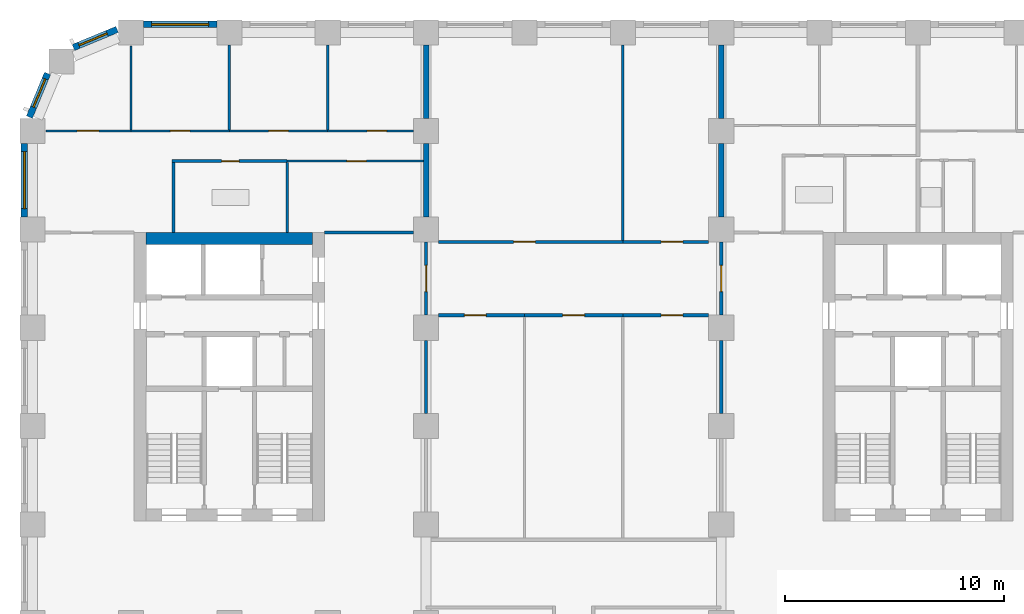
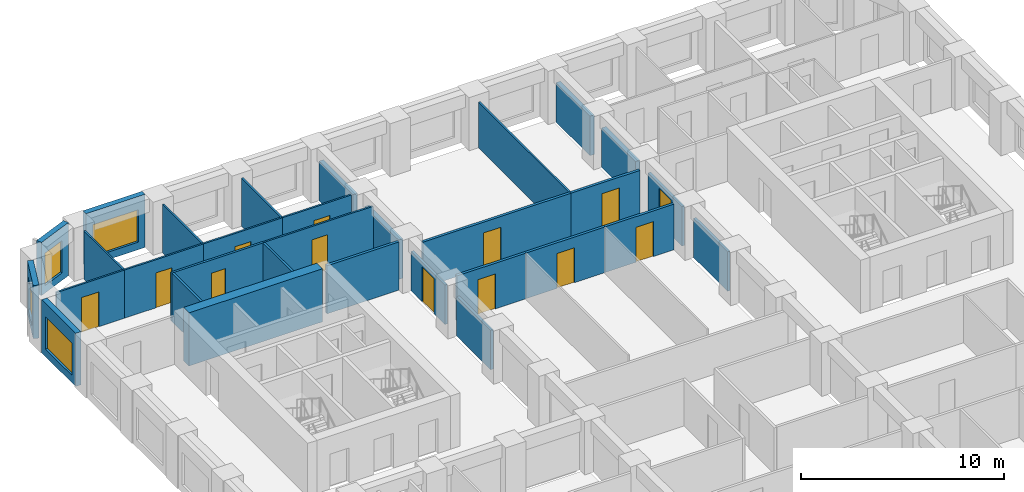
# One storey, part 7 of 13: 31 walls, 13 doors, 4 windows, 17 openings.
"""IFC4 building model written with IfcOpenShell, lengths in metres."""

from ifc_helpers import new_model, si_unit, direction, frame, frame_2d, origin, place, context, subcontext, project, spatial, rectangle, extrude, material, layer, layer_set, type_object, element, fill, save


model = new_model("IFC4")

# Units and contexts
model_context = context("Model", 3, precision=1e-05, world=origin(), true_north=direction((0.0, 1.0)))
body_context = subcontext(model_context, "Body", "Model", "MODEL_VIEW")
ifc_project = project(units=[si_unit("LENGTHUNIT", "METRE"), si_unit("AREAUNIT", "SQUARE_METRE"), si_unit("VOLUMEUNIT", "CUBIC_METRE"), si_unit("PLANEANGLEUNIT", "RADIAN"), si_unit("MASSUNIT", "GRAM", prefix="KILO")], contexts=[model_context])

# Site, building, storey
site_placement = place(None, origin())
site = spatial("IfcSite", under=ifc_project, at=site_placement, CompositionType="ELEMENT")
building_placement = place(site_placement, origin())
building = spatial("IfcBuilding", under=site, at=building_placement, Name="Girih Gate Residences", CompositionType="ELEMENT")
storey_placement = place(building_placement, frame((0.0, 0.0, 105.60009765625)))
storey = spatial("IfcBuildingStorey", under=building, at=storey_placement, Name="L29", CompositionType="ELEMENT", Elevation=105.60009765625)

# Walls
ifc_material_1 = material(Name="Gypsum board on steel studs", Category="steel")
ifc_layer_1 = layer(ifc_material_1, 0.25)
ifc_layer_set_1 = layer_set([ifc_layer_1], Name="Acoustic separating wall 250 mm")
wall_type_1 = type_object("IfcWallType", Name="Acoustic separating wall 250 mm", PredefinedType="PARTITIONING", material=ifc_layer_set_1)
for number, where, z_axis, x_axis, name in (
    (1, (18.0, 45.574951171875, 0.0), (0.0, 0.0, 1.0), (0.0, 1.0, 0.0), "L29 partition"),
    (2, (18.0, 41.074951171875, 0.0), (0.0, 0.0, 1.0), (0.0, 1.0, 0.0), "L29 partition"),
    (3, (31.5, 41.074951171875, 0.0), (0.0, 0.0, 1.0), (0.0, 1.0, 0.0), "L29 partition"),
    (4, (31.5, 45.574951171875, 0.0), (0.0, 0.0, 1.0), (0.0, 1.0, 0.0), "L29 partition"),
):
    element("IfcWall", number, at=place(storey_placement, frame(where, z_axis=z_axis, x_axis=x_axis)), inside=storey, type_object=wall_type_1, Name=name, PredefinedType="PARTITIONING", context=body_context, shape_type="SweptSolid", body=[
        extrude(rectangle(XDim=3.35009765625, YDim=0.25, at=frame_2d((1.675048828125, 0.0))), origin(), (0.0, 0.0, 1.0), 2.3798828125),
    ])
ifc_layer_2 = layer(ifc_material_1, 0.14990234375)
ifc_layer_set_2 = layer_set([ifc_layer_2], Name="Compartment wall 150 mm")
wall_type_2 = type_object("IfcWallType", Name="Compartment wall 150 mm", PredefinedType="PARTITIONING", material=ifc_layer_set_2)
wall_1_placement = place(storey_placement, frame((13.35009765625, 40.35009765625, 0.0), z_axis=(0.0, 0.0, 1.0), x_axis=(1.0, 0.0, 0.0)))
element("IfcWall", 5, at=wall_1_placement, inside=storey, type_object=wall_type_2, Name="L29 partition", PredefinedType="PARTITIONING", context=body_context, shape_type="SweptSolid", body=[
    extrude(rectangle(XDim=4.074951171875, YDim=0.14990234375, at=frame_2d((2.03759765625, 0.0))), origin(), (0.0, 0.0, 1.0), 2.89990234375),
])

# Wall, opening, door
wall_2_placement = place(storey_placement, frame((18.574951171875, 39.925048828125, 0.0), z_axis=(0.0, 0.0, 1.0), x_axis=(1.0, 0.0, 0.0)))
wall_2 = element("IfcWall", 6, at=wall_2_placement, inside=storey, type_object=wall_type_2, Name="L29 partition", PredefinedType="PARTITIONING", context=body_context, shape_type="SweptSolid", body=[
    extrude(rectangle(XDim=8.425048828125, YDim=0.14990234375, at=frame_2d((4.21240234375, 0.0))), origin(), (0.0, 0.0, 1.0), 2.75),
])
opening_1_placement = place(wall_2_placement, frame((3.425048828125, 0.0, 0.0)))
opening_1 = element("IfcOpeningElement", 7, at=opening_1_placement, cuts=wall_2, Name="Opening A29-039", PredefinedType="OPENING", context=body_context, shape_type="SweptSolid", body=[
    extrude(rectangle(XDim=1.0, YDim=2.10009765625, at=frame_2d((0.5, 1.050048828125))), frame((0.0, 0.0849609375, 0.0), z_axis=(0.0, -1.0, 0.0), x_axis=(1.0, 0.0, 0.0)), (0.0, 0.0, 1.0), 0.169921875),
])
ifc_material_2 = material(Name="Timber, fire-rated core", Category="wood")
door_type_1 = type_object("IfcDoorType", Name="Amenity room door 1000x2100 FD30S", OperationType="NOTDEFINED", PredefinedType="DOOR", material=ifc_material_2)
door_1_placement = place(opening_1_placement, origin())
door_1 = element("IfcDoor", 8, at=door_1_placement, inside=storey, type_object=door_type_1, Name="Door A29-039", OperationType="SINGLE_SWING_LEFT", OverallHeight=2.10009765625, OverallWidth=1.0, PredefinedType="DOOR", context=body_context, shape_type="SweptSolid", body=[
    extrude(rectangle(XDim=1.0, YDim=2.10009765625, at=frame_2d((0.5, 1.050048828125))), frame((0.0, 0.02490234375, 0.0), z_axis=(0.0, -1.0, 0.0), x_axis=(1.0, 0.0, 0.0)), (0.0, 0.0, 1.0), 0.050048828125),
])
fill(opening_1, door_1)

wall_3_placement = place(storey_placement, frame((27.0, 39.925048828125, 0.0), z_axis=(0.0, 0.0, 1.0), x_axis=(1.0, 0.0, 0.0)))
wall_3 = element("IfcWall", 9, at=wall_3_placement, inside=storey, type_object=wall_type_2, Name="L29 partition", PredefinedType="PARTITIONING", context=body_context, shape_type="SweptSolid", body=[
    extrude(rectangle(XDim=3.925048828125, YDim=0.14990234375, at=frame_2d((1.96240234375, 0.0))), origin(), (0.0, 0.0, 1.0), 2.75),
])
opening_2_placement = place(wall_3_placement, frame((1.75, 0.0, 0.0)))
opening_2 = element("IfcOpeningElement", 10, at=opening_2_placement, cuts=wall_3, Name="Opening A29-040", PredefinedType="OPENING", context=body_context, shape_type="SweptSolid", body=[
    extrude(rectangle(XDim=1.0, YDim=2.10009765625, at=frame_2d((0.5, 1.050048828125))), frame((0.0, 0.0849609375, 0.0), z_axis=(0.0, -1.0, 0.0), x_axis=(1.0, 0.0, 0.0)), (0.0, 0.0, 1.0), 0.169921875),
])
door_2_placement = place(opening_2_placement, origin())
door_2 = element("IfcDoor", 11, at=door_2_placement, inside=storey, type_object=door_type_1, Name="Door A29-040", OperationType="SINGLE_SWING_RIGHT", OverallHeight=2.10009765625, OverallWidth=1.0, PredefinedType="DOOR", context=body_context, shape_type="SweptSolid", body=[
    extrude(rectangle(XDim=1.0, YDim=2.10009765625, at=frame_2d((0.5, 1.050048828125))), frame((0.0, 0.02490234375, 0.0), z_axis=(0.0, -1.0, 0.0), x_axis=(1.0, 0.0, 0.0)), (0.0, 0.0, 1.0), 0.050048828125),
])
fill(opening_2, door_2)

wall_4_placement = place(storey_placement, frame((22.5, 36.574951171875, 0.0), z_axis=(0.0, 0.0, 1.0), x_axis=(-1.0, 0.0, 0.0)))
wall_4 = element("IfcWall", 12, at=wall_4_placement, inside=storey, type_object=wall_type_2, Name="L29 partition", PredefinedType="PARTITIONING", context=body_context, shape_type="SweptSolid", body=[
    extrude(rectangle(XDim=3.925048828125, YDim=0.14990234375, at=frame_2d((1.96240234375, 0.0))), origin(), (0.0, 0.0, 1.0), 2.75),
])
opening_3_placement = place(wall_4_placement, frame((1.75, 0.0, 0.0)))
opening_3 = element("IfcOpeningElement", 13, at=opening_3_placement, cuts=wall_4, Name="Opening A29-041", PredefinedType="OPENING", context=body_context, shape_type="SweptSolid", body=[
    extrude(rectangle(XDim=1.0, YDim=2.10009765625, at=frame_2d((0.5, 1.050048828125))), frame((0.0, 0.0849609375, 0.0), z_axis=(0.0, -1.0, 0.0), x_axis=(1.0, 0.0, 0.0)), (0.0, 0.0, 1.0), 0.169921875),
])
door_3_placement = place(opening_3_placement, origin())
door_3 = element("IfcDoor", 14, at=door_3_placement, inside=storey, type_object=door_type_1, Name="Door A29-041", OperationType="SINGLE_SWING_RIGHT", OverallHeight=2.10009765625, OverallWidth=1.0, PredefinedType="DOOR", context=body_context, shape_type="SweptSolid", body=[
    extrude(rectangle(XDim=1.0, YDim=2.10009765625, at=frame_2d((0.5, 1.050048828125))), frame((0.0, 0.02490234375, 0.0), z_axis=(0.0, -1.0, 0.0), x_axis=(1.0, 0.0, 0.0)), (0.0, 0.0, 1.0), 0.050048828125),
])
fill(opening_3, door_3)

wall_5_placement = place(storey_placement, frame((27.0, 36.574951171875, 0.0), z_axis=(0.0, 0.0, 1.0), x_axis=(-1.0, 0.0, 0.0)))
wall_5 = element("IfcWall", 15, at=wall_5_placement, inside=storey, type_object=wall_type_2, Name="L29 partition", PredefinedType="PARTITIONING", context=body_context, shape_type="SweptSolid", body=[
    extrude(rectangle(XDim=4.5, YDim=0.14990234375, at=frame_2d((2.25, 0.0))), origin(), (0.0, 0.0, 1.0), 2.75),
])
opening_4_placement = place(wall_5_placement, frame((1.75, 0.0, 0.0)))
opening_4 = element("IfcOpeningElement", 16, at=opening_4_placement, cuts=wall_5, Name="Opening A29-042", PredefinedType="OPENING", context=body_context, shape_type="SweptSolid", body=[
    extrude(rectangle(XDim=1.0, YDim=2.10009765625, at=frame_2d((0.5, 1.050048828125))), frame((0.0, 0.0849609375, 0.0), z_axis=(0.0, -1.0, 0.0), x_axis=(1.0, 0.0, 0.0)), (0.0, 0.0, 1.0), 0.169921875),
])
door_4_placement = place(opening_4_placement, origin())
door_4 = element("IfcDoor", 17, at=door_4_placement, inside=storey, type_object=door_type_1, Name="Door A29-042", OperationType="SINGLE_SWING_RIGHT", OverallHeight=2.10009765625, OverallWidth=1.0, PredefinedType="DOOR", context=body_context, shape_type="SweptSolid", body=[
    extrude(rectangle(XDim=1.0, YDim=2.10009765625, at=frame_2d((0.5, 1.050048828125))), frame((0.0, 0.02490234375, 0.0), z_axis=(0.0, -1.0, 0.0), x_axis=(1.0, 0.0, 0.0)), (0.0, 0.0, 1.0), 0.050048828125),
])
fill(opening_4, door_4)

wall_6_placement = place(storey_placement, frame((30.925048828125, 36.574951171875, 0.0), z_axis=(0.0, 0.0, 1.0), x_axis=(-1.0, 0.0, 0.0)))
wall_6 = element("IfcWall", 18, at=wall_6_placement, inside=storey, type_object=wall_type_2, Name="L29 partition", PredefinedType="PARTITIONING", context=body_context, shape_type="SweptSolid", body=[
    extrude(rectangle(XDim=3.925048828125, YDim=0.14990234375, at=frame_2d((1.96240234375, 0.0))), origin(), (0.0, 0.0, 1.0), 2.75),
])
opening_5_placement = place(wall_6_placement, frame((1.175048828125, 0.0, 0.0)))
opening_5 = element("IfcOpeningElement", 19, at=opening_5_placement, cuts=wall_6, Name="Opening A29-043", PredefinedType="OPENING", context=body_context, shape_type="SweptSolid", body=[
    extrude(rectangle(XDim=1.0, YDim=2.10009765625, at=frame_2d((0.5, 1.050048828125))), frame((0.0, 0.0849609375, 0.0), z_axis=(0.0, -1.0, 0.0), x_axis=(1.0, 0.0, 0.0)), (0.0, 0.0, 1.0), 0.169921875),
])
door_5_placement = place(opening_5_placement, origin())
door_5 = element("IfcDoor", 20, at=door_5_placement, inside=storey, type_object=door_type_1, Name="Door A29-043", OperationType="SINGLE_SWING_LEFT", OverallHeight=2.10009765625, OverallWidth=1.0, PredefinedType="DOOR", context=body_context, shape_type="SweptSolid", body=[
    extrude(rectangle(XDim=1.0, YDim=2.10009765625, at=frame_2d((0.5, 1.050048828125))), frame((0.0, 0.02490234375, 0.0), z_axis=(0.0, -1.0, 0.0), x_axis=(1.0, 0.0, 0.0)), (0.0, 0.0, 1.0), 0.050048828125),
])
fill(opening_5, door_5)

wall_7_placement = place(storey_placement, frame((31.5, 36.574951171875, 0.0), z_axis=(0.0, 0.0, 1.0), x_axis=(0.0, 1.0, 0.0)))
wall_7 = element("IfcWall", 21, at=wall_7_placement, inside=storey, type_object=wall_type_2, Name="L29 partition", PredefinedType="PARTITIONING", context=body_context, shape_type="SweptSolid", body=[
    extrude(rectangle(XDim=3.35009765625, YDim=0.14990234375, at=frame_2d((1.675048828125, 0.0))), origin(), (0.0, 0.0, 1.0), 2.3798828125),
])
opening_6_placement = place(wall_7_placement, frame((1.074951171875, 0.0, 0.0)))
opening_6 = element("IfcOpeningElement", 22, at=opening_6_placement, cuts=wall_7, Name="Opening A29-044", PredefinedType="OPENING", context=body_context, shape_type="SweptSolid", body=[
    extrude(rectangle(XDim=1.199951171875, YDim=2.10009765625, at=frame_2d((0.60009765625, 1.050048828125))), frame((0.0, 0.0849609375, 0.0), z_axis=(0.0, -1.0, 0.0), x_axis=(1.0, 0.0, 0.0)), (0.0, 0.0, 1.0), 0.169921875),
])
door_type_2 = type_object("IfcDoorType", Name="Corridor fire door 1200x2100 FD30S", OperationType="NOTDEFINED", PredefinedType="DOOR", material=ifc_material_2)
door_6_placement = place(opening_6_placement, origin())
door_6 = element("IfcDoor", 23, at=door_6_placement, inside=storey, type_object=door_type_2, Name="Door A29-044", OperationType="SINGLE_SWING_LEFT", OverallHeight=2.10009765625, OverallWidth=1.199951171875, PredefinedType="DOOR", context=body_context, shape_type="SweptSolid", body=[
    extrude(rectangle(XDim=1.199951171875, YDim=2.10009765625, at=frame_2d((0.60009765625, 1.050048828125))), frame((0.0, 0.02490234375, 0.0), z_axis=(0.0, -1.0, 0.0), x_axis=(1.0, 0.0, 0.0)), (0.0, 0.0, 1.0), 0.050048828125),
])
fill(opening_6, door_6)

wall_8_placement = place(storey_placement, frame((18.0, 39.925048828125, 0.0), z_axis=(0.0, 0.0, 1.0), x_axis=(0.0, -1.0, 0.0)))
wall_8 = element("IfcWall", 24, at=wall_8_placement, inside=storey, type_object=wall_type_2, Name="L29 partition", PredefinedType="PARTITIONING", context=body_context, shape_type="SweptSolid", body=[
    extrude(rectangle(XDim=3.35009765625, YDim=0.14990234375, at=frame_2d((1.675048828125, 0.0))), origin(), (0.0, 0.0, 1.0), 2.3798828125),
])
opening_7_placement = place(wall_8_placement, frame((1.074951171875, 0.0, 0.0)))
opening_7 = element("IfcOpeningElement", 25, at=opening_7_placement, cuts=wall_8, Name="Opening A29-045", PredefinedType="OPENING", context=body_context, shape_type="SweptSolid", body=[
    extrude(rectangle(XDim=1.199951171875, YDim=2.10009765625, at=frame_2d((0.60009765625, 1.050048828125))), frame((0.0, 0.0849609375, 0.0), z_axis=(0.0, -1.0, 0.0), x_axis=(1.0, 0.0, 0.0)), (0.0, 0.0, 1.0), 0.169921875),
])
door_7_placement = place(opening_7_placement, origin())
door_7 = element("IfcDoor", 26, at=door_7_placement, inside=storey, type_object=door_type_2, Name="Door A29-045", OperationType="SINGLE_SWING_LEFT", OverallHeight=2.10009765625, OverallWidth=1.199951171875, PredefinedType="DOOR", context=body_context, shape_type="SweptSolid", body=[
    extrude(rectangle(XDim=1.199951171875, YDim=2.10009765625, at=frame_2d((0.60009765625, 1.050048828125))), frame((0.0, 0.02490234375, 0.0), z_axis=(0.0, -1.0, 0.0), x_axis=(1.0, 0.0, 0.0)), (0.0, 0.0, 1.0), 0.050048828125),
])
fill(opening_7, door_7)

# Walls
for number, where, z_axis, x_axis, name in (
    (27, (18.0, 32.074951171875, 0.0), (0.0, 0.0, 1.0), (0.0, 1.0, 0.0), "L29 partition"),
    (28, (31.5, 32.074951171875, 0.0), (0.0, 0.0, 1.0), (0.0, 1.0, 0.0), "L29 partition"),
):
    element("IfcWall", number, at=place(storey_placement, frame(where, z_axis=z_axis, x_axis=x_axis)), inside=storey, type_object=wall_type_2, Name=name, PredefinedType="PARTITIONING", context=body_context, shape_type="SweptSolid", body=[
        extrude(rectangle(XDim=3.35009765625, YDim=0.14990234375, at=frame_2d((1.675048828125, 0.0))), origin(), (0.0, 0.0, 1.0), 2.3798828125),
    ])
ifc_material_3 = material(Name="Concrete C60/75", Category="concrete")
ifc_layer_3 = layer(ifc_material_3, 0.550048828125)
ifc_layer_set_3 = layer_set([ifc_layer_3], Name="Core wall RC 550 Concrete C60/75")
wall_type_3 = type_object("IfcWallType", Name="Core wall RC 550 Concrete C60/75", PredefinedType="SOLIDWALL", material=ifc_layer_set_3)
wall_9_placement = place(storey_placement, frame((5.199951171875, 40.074951171875, 0.0), z_axis=(0.0, 0.0, 1.0), x_axis=(1.0, 0.0, 0.0)))
element("IfcWall", 29, at=wall_9_placement, inside=storey, type_object=wall_type_3, Name="Core wall W-N L29", PredefinedType="SOLIDWALL", context=body_context, shape_type="SweptSolid", body=[
    extrude(rectangle(XDim=7.60009765625, YDim=0.550048828125, at=frame_2d((3.800048828125, 0.0))), origin(), (0.0, 0.0, 1.0), 3.199951171875),
])
ifc_layer_4 = layer(ifc_material_1, 0.10009765625)
ifc_layer_set_4 = layer_set([ifc_layer_4], Name="Partition 100 mm")
wall_type_4 = type_object("IfcWallType", Name="Partition 100 mm", PredefinedType="PARTITIONING", material=ifc_layer_set_4)
wall_10_placement = place(storey_placement, frame((9.0, 45.050048828125, 0.0), z_axis=(0.0, 0.0, 1.0), x_axis=(0.0, 1.0, 0.0)))
element("IfcWall", 30, at=wall_10_placement, inside=storey, type_object=wall_type_4, Name="L29 partition", PredefinedType="PARTITIONING", context=body_context, shape_type="SweptSolid", body=[
    extrude(rectangle(XDim=3.875, YDim=0.10009765625, at=frame_2d((1.9375, 0.0))), origin(), (0.0, 0.0, 1.0), 2.89990234375),
])

# Wall, opening, door
wall_11_placement = place(storey_placement, frame((4.5, 45.0, 0.0), z_axis=(0.0, 0.0, 1.0), x_axis=(1.0, 0.0, 0.0)))
wall_11 = element("IfcWall", 31, at=wall_11_placement, inside=storey, type_object=wall_type_4, Name="L29 partition", PredefinedType="PARTITIONING", context=body_context, shape_type="SweptSolid", body=[
    extrude(rectangle(XDim=4.5, YDim=0.10009765625, at=frame_2d((2.25, 0.0))), origin(), (0.0, 0.0, 1.0), 2.89990234375),
])
opening_8_placement = place(wall_11_placement, frame((1.800048828125, 0.0, 0.0)))
opening_8 = element("IfcOpeningElement", 32, at=opening_8_placement, cuts=wall_11, Name="Opening A29-013", PredefinedType="OPENING", context=body_context, shape_type="SweptSolid", body=[
    extrude(rectangle(XDim=0.89990234375, YDim=2.10009765625, at=frame_2d((0.449951171875, 1.050048828125))), frame((0.0, 0.06005859375, 0.0), z_axis=(0.0, -1.0, 0.0), x_axis=(1.0, 0.0, 0.0)), (0.0, 0.0, 1.0), 0.1201171875),
])
ifc_material_4 = material(Name="Timber", Category="wood")
door_type_3 = type_object("IfcDoorType", Name="Bedroom door 900x2100", OperationType="NOTDEFINED", PredefinedType="DOOR", material=ifc_material_4)
door_8_placement = place(opening_8_placement, origin())
door_8 = element("IfcDoor", 33, at=door_8_placement, inside=storey, type_object=door_type_3, Name="Door A29-013", OperationType="SINGLE_SWING_RIGHT", OverallHeight=2.10009765625, OverallWidth=0.89990234375, PredefinedType="DOOR", context=body_context, shape_type="SweptSolid", body=[
    extrude(rectangle(XDim=0.89990234375, YDim=2.10009765625, at=frame_2d((0.449951171875, 1.050048828125))), frame((0.0, 0.02490234375, 0.0), z_axis=(0.0, -1.0, 0.0), x_axis=(1.0, 0.0, 0.0)), (0.0, 0.0, 1.0), 0.050048828125),
])
fill(opening_8, door_8)

# Walls
wall_12_placement = place(storey_placement, frame((4.5, 45.050048828125, 0.0), z_axis=(0.0, 0.0, 1.0), x_axis=(0.0, 1.0, 0.0)))
element("IfcWall", 34, at=wall_12_placement, inside=storey, type_object=wall_type_4, Name="L29 partition", PredefinedType="PARTITIONING", context=body_context, shape_type="SweptSolid", body=[
    extrude(rectangle(XDim=3.82763671875, YDim=0.10009765625, at=frame_2d((1.913818359375, 0.0))), origin(), (0.0, 0.0, 1.0), 2.89990234375),
])
wall_13_placement = place(storey_placement, frame((13.5, 45.050048828125, 0.0), z_axis=(0.0, 0.0, 1.0), x_axis=(0.0, 1.0, 0.0)))
element("IfcWall", 35, at=wall_13_placement, inside=storey, type_object=wall_type_4, Name="L29 partition", PredefinedType="PARTITIONING", context=body_context, shape_type="SweptSolid", body=[
    extrude(rectangle(XDim=3.875, YDim=0.10009765625, at=frame_2d((1.9375, 0.0))), origin(), (0.0, 0.0, 1.0), 2.89990234375),
])

# Wall, opening, door
wall_14_placement = place(storey_placement, frame((9.0, 45.0, 0.0), z_axis=(0.0, 0.0, 1.0), x_axis=(1.0, 0.0, 0.0)))
wall_14 = element("IfcWall", 36, at=wall_14_placement, inside=storey, type_object=wall_type_4, Name="L29 partition", PredefinedType="PARTITIONING", context=body_context, shape_type="SweptSolid", body=[
    extrude(rectangle(XDim=4.5, YDim=0.10009765625, at=frame_2d((2.25, 0.0))), origin(), (0.0, 0.0, 1.0), 2.89990234375),
])
opening_9_placement = place(wall_14_placement, frame((1.800048828125, 0.0, 0.0)))
opening_9 = element("IfcOpeningElement", 37, at=opening_9_placement, cuts=wall_14, Name="Opening A29-014", PredefinedType="OPENING", context=body_context, shape_type="SweptSolid", body=[
    extrude(rectangle(XDim=0.89990234375, YDim=2.10009765625, at=frame_2d((0.449951171875, 1.050048828125))), frame((0.0, 0.06005859375, 0.0), z_axis=(0.0, -1.0, 0.0), x_axis=(1.0, 0.0, 0.0)), (0.0, 0.0, 1.0), 0.1201171875),
])
door_9_placement = place(opening_9_placement, origin())
door_9 = element("IfcDoor", 38, at=door_9_placement, inside=storey, type_object=door_type_3, Name="Door A29-014", OperationType="SINGLE_SWING_LEFT", OverallHeight=2.10009765625, OverallWidth=0.89990234375, PredefinedType="DOOR", context=body_context, shape_type="SweptSolid", body=[
    extrude(rectangle(XDim=0.89990234375, YDim=2.10009765625, at=frame_2d((0.449951171875, 1.050048828125))), frame((0.0, 0.02490234375, 0.0), z_axis=(0.0, -1.0, 0.0), x_axis=(1.0, 0.0, 0.0)), (0.0, 0.0, 1.0), 0.050048828125),
])
fill(opening_9, door_9)

wall_15_placement = place(storey_placement, frame((13.5, 45.0, 0.0), z_axis=(0.0, 0.0, 1.0), x_axis=(1.0, 0.0, 0.0)))
wall_15 = element("IfcWall", 39, at=wall_15_placement, inside=storey, type_object=wall_type_4, Name="L29 partition", PredefinedType="PARTITIONING", context=body_context, shape_type="SweptSolid", body=[
    extrude(rectangle(XDim=3.925048828125, YDim=0.10009765625, at=frame_2d((1.96240234375, 0.0))), origin(), (0.0, 0.0, 1.0), 2.89990234375),
])
opening_10_placement = place(wall_15_placement, frame((1.800048828125, 0.0, 0.0)))
opening_10 = element("IfcOpeningElement", 40, at=opening_10_placement, cuts=wall_15, Name="Opening A29-015", PredefinedType="OPENING", context=body_context, shape_type="SweptSolid", body=[
    extrude(rectangle(XDim=0.89990234375, YDim=2.10009765625, at=frame_2d((0.449951171875, 1.050048828125))), frame((0.0, 0.06005859375, 0.0), z_axis=(0.0, -1.0, 0.0), x_axis=(1.0, 0.0, 0.0)), (0.0, 0.0, 1.0), 0.1201171875),
])
door_10_placement = place(opening_10_placement, origin())
door_10 = element("IfcDoor", 41, at=door_10_placement, inside=storey, type_object=door_type_3, Name="Door A29-015", OperationType="SINGLE_SWING_RIGHT", OverallHeight=2.10009765625, OverallWidth=0.89990234375, PredefinedType="DOOR", context=body_context, shape_type="SweptSolid", body=[
    extrude(rectangle(XDim=0.89990234375, YDim=2.10009765625, at=frame_2d((0.449951171875, 1.050048828125))), frame((0.0, 0.02490234375, 0.0), z_axis=(0.0, -1.0, 0.0), x_axis=(1.0, 0.0, 0.0)), (0.0, 0.0, 1.0), 0.050048828125),
])
fill(opening_10, door_10)

wall_16_placement = place(storey_placement, frame((17.875, 43.6201171875, 0.0), z_axis=(0.0, 0.0, 1.0), x_axis=(-1.0, 0.0, 0.0)))
wall_16 = element("IfcWall", 42, at=wall_16_placement, inside=storey, type_object=wall_type_4, Name="L29 partition", PredefinedType="PARTITIONING", context=body_context, shape_type="SweptSolid", body=[
    extrude(rectangle(XDim=6.22998046875, YDim=0.10009765625, at=frame_2d((3.114990234375, 0.0))), origin(), (0.0, 0.0, 1.0), 2.89990234375),
])
opening_11_placement = place(wall_16_placement, frame((2.602294921875, 0.0, 0.0)))
opening_11 = element("IfcOpeningElement", 43, at=opening_11_placement, cuts=wall_16, Name="Opening A29-016", PredefinedType="OPENING", context=body_context, shape_type="SweptSolid", body=[
    extrude(rectangle(XDim=0.89990234375, YDim=2.10009765625, at=frame_2d((0.449951171875, 1.050048828125))), frame((0.0, 0.06005859375, 0.0), z_axis=(0.0, -1.0, 0.0), x_axis=(1.0, 0.0, 0.0)), (0.0, 0.0, 1.0), 0.1201171875),
])
door_type_4 = type_object("IfcDoorType", Name="Kitchen door 900x2100", OperationType="NOTDEFINED", PredefinedType="DOOR", material=ifc_material_4)
door_11_placement = place(opening_11_placement, origin())
door_11 = element("IfcDoor", 44, at=door_11_placement, inside=storey, type_object=door_type_4, Name="Door A29-016", OperationType="SINGLE_SWING_LEFT", OverallHeight=2.10009765625, OverallWidth=0.89990234375, PredefinedType="DOOR", context=body_context, shape_type="SweptSolid", body=[
    extrude(rectangle(XDim=0.89990234375, YDim=2.10009765625, at=frame_2d((0.449951171875, 1.050048828125))), frame((0.0, 0.02490234375, 0.0), z_axis=(0.0, -1.0, 0.0), x_axis=(1.0, 0.0, 0.0)), (0.0, 0.0, 1.0), 0.050048828125),
])
fill(opening_11, door_11)

wall_17_placement = place(storey_placement, frame((0.622314453125, 45.0, 0.0), z_axis=(0.0, 0.0, 1.0), x_axis=(1.0, 0.0, 0.0)))
wall_17 = element("IfcWall", 45, at=wall_17_placement, inside=storey, type_object=wall_type_4, Name="L29 partition", PredefinedType="PARTITIONING", context=body_context, shape_type="SweptSolid", body=[
    extrude(rectangle(XDim=3.877685546875, YDim=0.10009765625, at=frame_2d((1.93896484375, 0.0))), origin(), (0.0, 0.0, 1.0), 2.89990234375),
])
opening_12_placement = place(wall_17_placement, frame((1.4150390625, 0.0, 0.0)))
opening_12 = element("IfcOpeningElement", 46, at=opening_12_placement, cuts=wall_17, Name="Opening A29-017", PredefinedType="OPENING", context=body_context, shape_type="SweptSolid", body=[
    extrude(rectangle(XDim=1.0, YDim=2.10009765625, at=frame_2d((0.5, 1.050048828125))), frame((0.0, 0.06005859375, 0.0), z_axis=(0.0, -1.0, 0.0), x_axis=(1.0, 0.0, 0.0)), (0.0, 0.0, 1.0), 0.1201171875),
])
door_type_5 = type_object("IfcDoorType", Name="Living room door 1000x2100", OperationType="NOTDEFINED", PredefinedType="DOOR", material=ifc_material_4)
door_12_placement = place(opening_12_placement, origin())
door_12 = element("IfcDoor", 47, at=door_12_placement, inside=storey, type_object=door_type_5, Name="Door A29-017", OperationType="SINGLE_SWING_LEFT", OverallHeight=2.10009765625, OverallWidth=1.0, PredefinedType="DOOR", context=body_context, shape_type="SweptSolid", body=[
    extrude(rectangle(XDim=1.0, YDim=2.10009765625, at=frame_2d((0.5, 1.050048828125))), frame((0.0, 0.02490234375, 0.0), z_axis=(0.0, -1.0, 0.0), x_axis=(1.0, 0.0, 0.0)), (0.0, 0.0, 1.0), 0.050048828125),
])
fill(opening_12, door_12)

# Wall
wall_18_placement = place(storey_placement, frame((27.0, 40.0, 0.0), z_axis=(0.0, 0.0, 1.0), x_axis=(0.0, 1.0, 0.0)))
element("IfcWall", 48, at=wall_18_placement, inside=storey, type_object=wall_type_4, Name="L29 partition", PredefinedType="PARTITIONING", context=body_context, shape_type="SweptSolid", body=[
    extrude(rectangle(XDim=8.925048828125, YDim=0.10009765625, at=frame_2d((4.46240234375, 0.0))), origin(), (0.0, 0.0, 1.0), 2.75),
])

# Wall, opening, window
ifc_material_5 = material(Name="Precast concrete C50/60", Category="concrete")
ifc_layer_5 = layer(ifc_material_5, 0.080078125, Name="Outer leaf")
ifc_material_6 = material(Name="Rigid PIR insulation")
ifc_layer_6 = layer(ifc_material_6, 0.14990234375, Name="Insulation")
ifc_material_7 = material(Name="Precast concrete C40/50", Category="concrete")
ifc_layer_7 = layer(ifc_material_7, 0.070068359375, Name="Inner leaf")
ifc_layer_set_5 = layer_set([ifc_layer_5, ifc_layer_6, ifc_layer_7], Name="Precast concrete C50/60 external wall 300")
wall_type_5 = type_object("IfcWallType", Name="Precast concrete C50/60 external wall 300", PredefinedType="SOLIDWALL", material=ifc_layer_set_5)
wall_19_placement = place(storey_placement, frame((5.074951171875, 49.875, 0.0), z_axis=(0.0, 0.0, 1.0), x_axis=(1.0, 0.0, 0.0)))
wall_19 = element("IfcWall", 49, at=wall_19_placement, inside=storey, type_object=wall_type_5, Name="External wall N0450_0495.8", PredefinedType="SOLIDWALL", context=body_context, shape_type="SweptSolid", body=[
    extrude(rectangle(XDim=3.35009765625, YDim=0.300048828125, at=frame_2d((1.675048828125, 0.0))), origin(), (0.0, 0.0, 1.0), 3.199951171875),
])
opening_13_placement = place(wall_19_placement, frame((0.375, 0.0, 0.449951171875)))
opening_13 = element("IfcOpeningElement", 50, at=opening_13_placement, cuts=wall_19, Name="Opening W-1A", PredefinedType="OPENING", context=body_context, shape_type="SweptSolid", body=[
    extrude(rectangle(XDim=2.60009765625, YDim=1.949951171875, at=frame_2d((1.300048828125, 0.97509765625))), frame((0.0, 0.159912109375, 0.0), z_axis=(0.0, -1.0, 0.0), x_axis=(1.0, 0.0, 0.0)), (0.0, 0.0, 1.0), 0.320068359375),
])
ifc_material_8 = material(Name="Double glazing in aluminium frame", Category="aluminium")
window_type_1 = type_object("IfcWindowType", Name="Window W-1A 2600x1950", PartitioningType="SINGLE_PANEL", PredefinedType="WINDOW", material=ifc_material_8)
window_1_placement = place(opening_13_placement, origin())
window_1 = element("IfcWindow", 51, at=window_1_placement, inside=storey, type_object=window_type_1, Name="Window W-1A N0450_0495.8", OverallHeight=1.949951171875, OverallWidth=2.60009765625, PartitioningType="SINGLE_PANEL", PredefinedType="WINDOW", context=body_context, shape_type="SweptSolid", body=[
    extrude(rectangle(XDim=2.60009765625, YDim=1.949951171875, at=frame_2d((1.300048828125, 0.97509765625))), frame((0.0, 0.030029296875, 0.0), z_axis=(0.0, -1.0, 0.0), x_axis=(1.0, 0.0, 0.0)), (0.0, 0.0, 1.0), 0.06005859375),
])
fill(opening_13, window_1)

wall_20_placement = place(storey_placement, frame((1.86865234375, 48.81591796875, 0.0), z_axis=(0.0, 0.0, 1.0), x_axis=(0.923862802911, 0.382723818695, 0.0)))
wall_20 = element("IfcWall", 52, at=wall_20_placement, inside=storey, type_object=wall_type_5, Name="External wall NW0045_0495.0", PredefinedType="SOLIDWALL", context=body_context, shape_type="SweptSolid", body=[
    extrude(rectangle(XDim=2.163818359375, YDim=0.300048828125, at=frame_2d((1.08203125, 0.0))), origin(), (0.0, 0.0, 1.0), 3.199951171875),
])
opening_14_placement = place(wall_20_placement, frame((0.270751953125, 0.0, 0.449951171875)))
opening_14 = element("IfcOpeningElement", 53, at=opening_14_placement, cuts=wall_20, Name="Opening W-2D", PredefinedType="OPENING", context=body_context, shape_type="SweptSolid", body=[
    extrude(rectangle(XDim=1.39990234375, YDim=1.949951171875, at=frame_2d((0.699951171875, 0.97509765625))), frame((0.0, 0.159912109375, 0.0), z_axis=(0.0, -1.0, 0.0), x_axis=(1.0, 0.0, 0.0)), (0.0, 0.0, 1.0), 0.320068359375),
])
window_type_2 = type_object("IfcWindowType", Name="Window W-2D 1400x1950", PartitioningType="SINGLE_PANEL", PredefinedType="WINDOW", material=ifc_material_8)
window_2_placement = place(opening_14_placement, origin())
window_2 = element("IfcWindow", 54, at=window_2_placement, inside=storey, type_object=window_type_2, Name="Window W-2D NW0045_0495.0", OverallHeight=1.949951171875, OverallWidth=1.39990234375, PartitioningType="SINGLE_PANEL", PredefinedType="WINDOW", context=body_context, shape_type="SweptSolid", body=[
    extrude(rectangle(XDim=1.39990234375, YDim=1.949951171875, at=frame_2d((0.699951171875, 0.97509765625))), frame((0.0, 0.030029296875, 0.0), z_axis=(0.0, -1.0, 0.0), x_axis=(1.0, 0.0, 0.0)), (0.0, 0.0, 1.0), 0.06005859375),
])
fill(opening_14, window_2)

wall_21_placement = place(storey_placement, frame((-0.14404296875, 45.63232421875, 0.0), z_axis=(0.0, 0.0, 1.0), x_axis=(0.382723818695, 0.923862802911, 0.0)))
wall_21 = element("IfcWall", 55, at=wall_21_placement, inside=storey, type_object=wall_type_5, Name="External wall NW0013_0482.0", PredefinedType="SOLIDWALL", context=body_context, shape_type="SweptSolid", body=[
    extrude(rectangle(XDim=2.163818359375, YDim=0.300048828125, at=frame_2d((1.08203125, 0.0))), origin(), (0.0, 0.0, 1.0), 3.199951171875),
])
opening_15_placement = place(wall_21_placement, frame((0.492919921875, 0.0, 0.449951171875)))
opening_15 = element("IfcOpeningElement", 56, at=opening_15_placement, cuts=wall_21, Name="Opening W-2D", PredefinedType="OPENING", context=body_context, shape_type="SweptSolid", body=[
    extrude(rectangle(XDim=1.39990234375, YDim=1.949951171875, at=frame_2d((0.699951171875, 0.97509765625))), frame((0.0, 0.159912109375, 0.0), z_axis=(0.0, -1.0, 0.0), x_axis=(1.0, 0.0, 0.0)), (0.0, 0.0, 1.0), 0.320068359375),
])
window_3_placement = place(opening_15_placement, origin())
window_3 = element("IfcWindow", 57, at=window_3_placement, inside=storey, type_object=window_type_2, Name="Window W-2D NW0013_0482.0", OverallHeight=1.949951171875, OverallWidth=1.39990234375, PartitioningType="SINGLE_PANEL", PredefinedType="WINDOW", context=body_context, shape_type="SweptSolid", body=[
    extrude(rectangle(XDim=1.39990234375, YDim=1.949951171875, at=frame_2d((0.699951171875, 0.97509765625))), frame((0.0, 0.030029296875, 0.0), z_axis=(0.0, -1.0, 0.0), x_axis=(1.0, 0.0, 0.0)), (0.0, 0.0, 1.0), 0.06005859375),
])
fill(opening_15, window_3)

wall_22_placement = place(storey_placement, frame((-0.375, 41.074951171875, 0.0), z_axis=(0.0, 0.0, 1.0), x_axis=(0.0, 1.0, 0.0)))
wall_22 = element("IfcWall", 58, at=wall_22_placement, inside=storey, type_object=wall_type_5, Name="External wall W0000_0450.0", PredefinedType="SOLIDWALL", context=body_context, shape_type="SweptSolid", body=[
    extrude(rectangle(XDim=3.35009765625, YDim=0.300048828125, at=frame_2d((1.675048828125, 0.0))), origin(), (0.0, 0.0, 1.0), 3.199951171875),
])
opening_16_placement = place(wall_22_placement, frame((0.375, 0.0, 0.449951171875)))
opening_16 = element("IfcOpeningElement", 59, at=opening_16_placement, cuts=wall_22, Name="Opening W-1A", PredefinedType="OPENING", context=body_context, shape_type="SweptSolid", body=[
    extrude(rectangle(XDim=2.60009765625, YDim=1.949951171875, at=frame_2d((1.300048828125, 0.97509765625))), frame((0.0, 0.159912109375, 0.0), z_axis=(0.0, -1.0, 0.0), x_axis=(1.0, 0.0, 0.0)), (0.0, 0.0, 1.0), 0.320068359375),
])
window_4_placement = place(opening_16_placement, origin())
window_4 = element("IfcWindow", 60, at=window_4_placement, inside=storey, type_object=window_type_1, Name="Window W-1A W0000_0450.0", OverallHeight=1.949951171875, OverallWidth=2.60009765625, PartitioningType="SINGLE_PANEL", PredefinedType="WINDOW", context=body_context, shape_type="SweptSolid", body=[
    extrude(rectangle(XDim=2.60009765625, YDim=1.949951171875, at=frame_2d((1.300048828125, 0.97509765625))), frame((0.0, 0.030029296875, 0.0), z_axis=(0.0, -1.0, 0.0), x_axis=(1.0, 0.0, 0.0)), (0.0, 0.0, 1.0), 0.06005859375),
])
fill(opening_16, window_4)

# Wall
ifc_layer_8 = layer(ifc_material_1, 0.125)
ifc_layer_set_6 = layer_set([ifc_layer_8], Name="Wet room wall 125 mm")
wall_type_6 = type_object("IfcWallType", Name="Wet room wall 125 mm", PredefinedType="PARTITIONING", material=ifc_layer_set_6)
wall_23_placement = place(storey_placement, frame((6.449951171875, 40.35009765625, 0.0), z_axis=(0.0, 0.0, 1.0), x_axis=(0.0, 1.0, 0.0)))
element("IfcWall", 61, at=wall_23_placement, inside=storey, type_object=wall_type_6, Name="L29 partition", PredefinedType="PARTITIONING", context=body_context, shape_type="SweptSolid", body=[
    extrude(rectangle(XDim=3.20751953125, YDim=0.125, at=frame_2d((1.603759765625, 0.0))), origin(), (0.0, 0.0, 1.0), 2.89990234375),
])

# Wall, opening, door
wall_24_placement = place(storey_placement, frame((11.64501953125, 43.6201171875, 0.0), z_axis=(0.0, 0.0, 1.0), x_axis=(-1.0, 0.0, 0.0)))
wall_24 = element("IfcWall", 62, at=wall_24_placement, inside=storey, type_object=wall_type_6, Name="L29 partition", PredefinedType="PARTITIONING", context=body_context, shape_type="SweptSolid", body=[
    extrude(rectangle(XDim=5.257568359375, YDim=0.125, at=frame_2d((2.62890625, 0.0))), origin(), (0.0, 0.0, 1.0), 2.89990234375),
])
opening_17_placement = place(wall_24_placement, frame((2.197509765625, 0.0, 0.0)))
opening_17 = element("IfcOpeningElement", 63, at=opening_17_placement, cuts=wall_24, Name="Opening A29-012", PredefinedType="OPENING", context=body_context, shape_type="SweptSolid", body=[
    extrude(rectangle(XDim=0.800048828125, YDim=2.10009765625, at=frame_2d((0.39990234375, 1.050048828125))), frame((0.0, 0.072509765625, 0.0), z_axis=(0.0, -1.0, 0.0), x_axis=(1.0, 0.0, 0.0)), (0.0, 0.0, 1.0), 0.14501953125),
])
door_type_6 = type_object("IfcDoorType", Name="Bathroom door 800x2100", OperationType="NOTDEFINED", PredefinedType="DOOR", material=ifc_material_4)
door_13_placement = place(opening_17_placement, origin())
door_13 = element("IfcDoor", 64, at=door_13_placement, inside=storey, type_object=door_type_6, Name="Door A29-012", OperationType="SINGLE_SWING_LEFT", OverallHeight=2.10009765625, OverallWidth=0.800048828125, PredefinedType="DOOR", context=body_context, shape_type="SweptSolid", body=[
    extrude(rectangle(XDim=0.800048828125, YDim=2.10009765625, at=frame_2d((0.39990234375, 1.050048828125))), frame((0.0, 0.02490234375, 0.0), z_axis=(0.0, -1.0, 0.0), x_axis=(1.0, 0.0, 0.0)), (0.0, 0.0, 1.0), 0.050048828125),
])
fill(opening_17, door_13)

# Wall
wall_25_placement = place(storey_placement, frame((11.64501953125, 40.35009765625, 0.0), z_axis=(0.0, 0.0, 1.0), x_axis=(0.0, 1.0, 0.0)))
element("IfcWall", 65, at=wall_25_placement, inside=storey, type_object=wall_type_6, Name="L29 partition", PredefinedType="PARTITIONING", context=body_context, shape_type="SweptSolid", body=[
    extrude(rectangle(XDim=3.20751953125, YDim=0.125, at=frame_2d((1.603759765625, 0.0))), origin(), (0.0, 0.0, 1.0), 2.89990234375),
])

save(model, "model.ifc")
